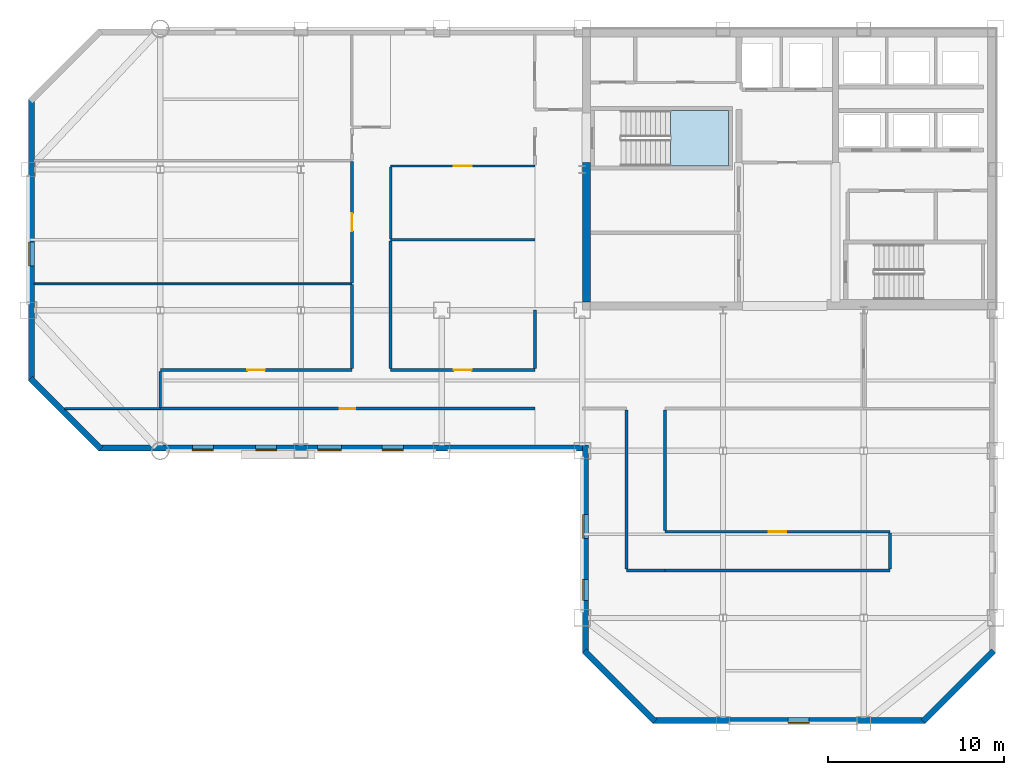
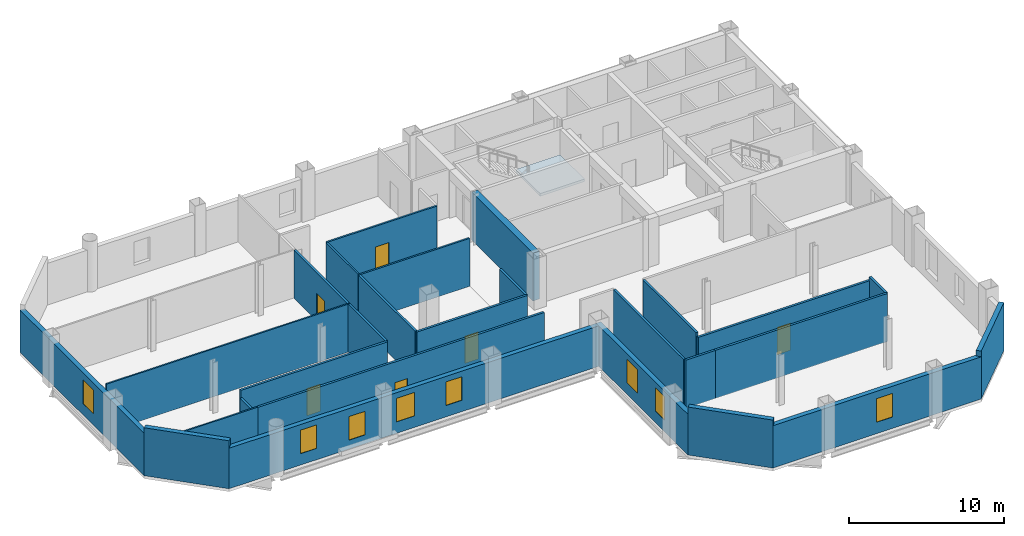
# One storey, part 4 of 10: 27 walls, 8 windows, 6 doors, 1 slab, 14 openings, 1 element without a shape of its own.
"""IFC4 building model written with IfcOpenShell, lengths in metres."""

from ifc_helpers import new_model, si_unit, direction, frame, frame_2d, origin, place, context, subcontext, project, spatial, polyline, rectangle, outline, extrude, material, layer, layer_set, type_object, element, fill, aggregate, save


model = new_model("IFC4")

# Units and contexts
model_context = context("Model", 3, precision=1e-05, world=origin(), true_north=direction((0.0, 1.0)))
body_context = subcontext(model_context, "Body", "Model", "MODEL_VIEW")
ifc_project = project(units=[si_unit("LENGTHUNIT", "METRE"), si_unit("AREAUNIT", "SQUARE_METRE"), si_unit("VOLUMEUNIT", "CUBIC_METRE"), si_unit("PLANEANGLEUNIT", "RADIAN"), si_unit("MASSUNIT", "GRAM", prefix="KILO")], contexts=[model_context])

# Site, building, storey
site_placement = place(None, origin())
site = spatial("IfcSite", under=ifc_project, at=site_placement, CompositionType="ELEMENT")
building_placement = place(site_placement, origin())
building = spatial("IfcBuilding", under=site, at=building_placement, Name="Qianrong Seaharbour Tower", CompositionType="ELEMENT")
storey_placement = place(building_placement, frame((0.0, 0.0, 261.800048828125)))
storey = spatial("IfcBuildingStorey", under=building, at=storey_placement, Name="L63", CompositionType="ELEMENT", Elevation=261.800048828125)

# Stair, slab
ifc_material_1 = material(Name="Concrete C50/60", Category="concrete")
stair_type = type_object("IfcStairType", Name="STAIR-DOGLEG-1500-R22", PredefinedType="HALF_TURN_STAIR", material=ifc_material_1)
stair_placement = place(storey_placement, origin())
stair = element("IfcStair", 1, at=stair_placement, inside=storey, type_object=stair_type, Name="L63 Protected Escape Stair ST-1", PredefinedType="HALF_TURN_STAIR")
ifc_layer_1 = layer(ifc_material_1, 0.199951171875)
ifc_layer_set_1 = layer_set([ifc_layer_1], Name="Concrete C50/60")
slab_type = type_object("IfcSlabType", Name="SLAB-STAIR-LANDING-200", PredefinedType="LANDING", material=ifc_layer_set_1)
slab_placement = place(storey_placement, frame((0.0, 0.0, 1.800048828125)))
slab = element("IfcSlab", 2, at=slab_placement, type_object=slab_type, Name="ST-1 landing 1", PredefinedType="LANDING", context=body_context, shape_type="SweptSolid", body=[
    extrude(outline(polyline([(45.5, 44.199951171875), (48.800048828125, 44.199951171875), (48.800048828125, 47.35009765625), (45.5, 47.35009765625), (45.5, 44.199951171875)])), origin(), (0.0, 0.0, 1.0), 0.199951171875),
])
aggregate(stair, [slab])

# Walls
ifc_material_2 = material(Name="Concrete C60/75", Category="concrete")
ifc_layer_2 = layer(ifc_material_2, 0.4599609375)
ifc_layer_set_2 = layer_set([ifc_layer_2], Name="Concrete C60/75")
wall_type_1 = type_object("IfcWallType", Name="WALL-CORE-460", PredefinedType="SHEAR", material=ifc_layer_set_2)
wall_1_placement = place(storey_placement, frame((40.72998046875, 36.4599609375, 0.0), z_axis=(0.0, 0.0, 1.0), x_axis=(0.0, 1.0, 0.0)))
element("IfcWall", 3, at=wall_1_placement, inside=storey, type_object=wall_type_1, Name="L63 West Core Shear Wall South", PredefinedType="SHEAR", context=body_context, shape_type="SweptSolid", body=[
    extrude(rectangle(XDim=7.93994140625, YDim=0.4599609375, at=frame_2d((3.969970703125, 0.0))), origin(), (0.0, 0.0, 1.0), 3.77490234375),
])
ifc_material_3 = material(Name="Fire-rated acoustic gypsum board partition")
ifc_layer_3 = layer(ifc_material_3, 0.1650390625)
ifc_layer_set_3 = layer_set([ifc_layer_3], Name="Fire-rated acoustic gypsum board partition")
wall_type_2 = type_object("IfcWallType", Name="WALL-CORR-PART-165", PredefinedType="PARTITIONING", material=ifc_layer_set_3)
wall_2_placement = place(storey_placement, frame((16.5, 30.474609375, 0.0), z_axis=(0.0, 0.0, 1.0), x_axis=(0.0, 1.0, 0.0)))
element("IfcWall", 4, at=wall_2_placement, inside=storey, type_object=wall_type_2, Name="L63 Interior Partition Wall 015", PredefinedType="PARTITIONING", context=body_context, shape_type="SweptSolid", body=[
    extrude(rectangle(XDim=2.05078125, YDim=0.1650390625, at=frame_2d((1.025390625, 0.0))), origin(), (0.0, 0.0, 1.0), 3.178955078125),
])

# Wall, opening, door
wall_3_placement = place(storey_placement, frame((16.5, 32.60009765625, 0.0), z_axis=(0.0, 0.0, 1.0), x_axis=(1.0, 0.0, 0.0)))
wall_3 = element("IfcWall", 5, at=wall_3_placement, inside=storey, type_object=wall_type_2, Name="L63 Interior Partition Wall 016", PredefinedType="PARTITIONING", context=body_context, shape_type="SweptSolid", body=[
    extrude(rectangle(XDim=10.89990234375, YDim=0.1650390625, at=frame_2d((5.449951171875, 0.0))), origin(), (0.0, 0.0, 1.0), 3.77490234375),
])
opening_1_placement = place(wall_3_placement, frame((4.949951171875, 0.0, 0.0)))
opening_1 = element("IfcOpeningElement", 6, at=opening_1_placement, cuts=wall_3, Name="Opening DO-01", PredefinedType="OPENING", context=body_context, shape_type="SweptSolid", body=[
    extrude(rectangle(XDim=1.0, YDim=2.14990234375, at=frame_2d((0.5, 1.074951171875))), frame((0.0, 0.092529296875, 0.0), z_axis=(0.0, -1.0, 0.0), x_axis=(1.0, 0.0, 0.0)), (0.0, 0.0, 1.0), 0.18505859375),
])
ifc_material_4 = material(Name="Acoustic timber and galvanized steel fire door assembly", Category="steel")
door_type_1 = type_object("IfcDoorType", Name="DOOR-OFFICE-1000x2150", OperationType="NOTDEFINED", PredefinedType="DOOR", material=ifc_material_4)
door_1_placement = place(opening_1_placement, origin())
door_1 = element("IfcDoor", 7, at=door_1_placement, inside=storey, type_object=door_type_1, Name="L63 Occupational Health Clinic 1 Door", OperationType="SINGLE_SWING_RIGHT", OverallHeight=2.14990234375, OverallWidth=1.0, PredefinedType="DOOR", context=body_context, shape_type="SweptSolid", body=[
    extrude(rectangle(XDim=1.0, YDim=2.14990234375, at=frame_2d((0.5, 1.074951171875))), frame((0.0, 0.02490234375, 0.0), z_axis=(0.0, -1.0, 0.0), x_axis=(1.0, 0.0, 0.0)), (0.0, 0.0, 1.0), 0.050048828125),
])
fill(opening_1, door_1)

wall_4_placement = place(storey_placement, frame((29.60009765625, 32.60009765625, 0.0), z_axis=(0.0, 0.0, 1.0), x_axis=(1.0, 0.0, 0.0)))
wall_4 = element("IfcWall", 8, at=wall_4_placement, inside=storey, type_object=wall_type_2, Name="L63 Interior Partition Wall 017", PredefinedType="PARTITIONING", context=body_context, shape_type="SweptSolid", body=[
    extrude(rectangle(XDim=8.199951171875, YDim=0.1650390625, at=frame_2d((4.10009765625, 0.0))), origin(), (0.0, 0.0, 1.0), 3.77490234375),
])
opening_2_placement = place(wall_4_placement, frame((3.60009765625, 0.0, 0.0)))
opening_2 = element("IfcOpeningElement", 9, at=opening_2_placement, cuts=wall_4, Name="Opening DO-01", PredefinedType="OPENING", context=body_context, shape_type="SweptSolid", body=[
    extrude(rectangle(XDim=1.0, YDim=2.14990234375, at=frame_2d((0.5, 1.074951171875))), frame((0.0, 0.092529296875, 0.0), z_axis=(0.0, -1.0, 0.0), x_axis=(1.0, 0.0, 0.0)), (0.0, 0.0, 1.0), 0.18505859375),
])
door_2_placement = place(opening_2_placement, origin())
door_2 = element("IfcDoor", 10, at=door_2_placement, inside=storey, type_object=door_type_1, Name="L63 Medical Examination Room 1 Door", OperationType="SINGLE_SWING_RIGHT", OverallHeight=2.14990234375, OverallWidth=1.0, PredefinedType="DOOR", context=body_context, shape_type="SweptSolid", body=[
    extrude(rectangle(XDim=1.0, YDim=2.14990234375, at=frame_2d((0.5, 1.074951171875))), frame((0.0, 0.02490234375, 0.0), z_axis=(0.0, -1.0, 0.0), x_axis=(1.0, 0.0, 0.0)), (0.0, 0.0, 1.0), 0.050048828125),
])
fill(opening_2, door_2)

wall_5_placement = place(storey_placement, frame((37.800048828125, 30.39990234375, 0.0), z_axis=(0.0, 0.0, 1.0), x_axis=(-1.0, 0.0, 0.0)))
wall_5 = element("IfcWall", 11, at=wall_5_placement, inside=storey, type_object=wall_type_2, Name="L63 Interior Partition Wall 018", PredefinedType="PARTITIONING", context=body_context, shape_type="SweptSolid", body=[
    extrude(rectangle(XDim=21.300048828125, YDim=0.1650390625, at=frame_2d((10.64990234375, 0.0))), origin(), (0.0, 0.0, 1.0), 3.77490234375),
])
opening_3_placement = place(wall_5_placement, frame((10.199951171875, 0.0, 0.0)))
opening_3 = element("IfcOpeningElement", 12, at=opening_3_placement, cuts=wall_5, Name="Opening DS-01", PredefinedType="OPENING", context=body_context, shape_type="SweptSolid", body=[
    extrude(rectangle(XDim=0.89990234375, YDim=2.14990234375, at=frame_2d((0.449951171875, 1.074951171875))), frame((0.0, 0.092529296875, 0.0), z_axis=(0.0, -1.0, 0.0), x_axis=(1.0, 0.0, 0.0)), (0.0, 0.0, 1.0), 0.18505859375),
])
door_type_2 = type_object("IfcDoorType", Name="DOOR-STORE-900x2150", OperationType="NOTDEFINED", PredefinedType="DOOR", material=ifc_material_4)
door_3_placement = place(opening_3_placement, origin())
door_3 = element("IfcDoor", 13, at=door_3_placement, inside=storey, type_object=door_type_2, Name="L63 Clinical Dispensary Store Door", OperationType="SINGLE_SWING_RIGHT", OverallHeight=2.14990234375, OverallWidth=0.89990234375, PredefinedType="DOOR", context=body_context, shape_type="SweptSolid", body=[
    extrude(rectangle(XDim=0.89990234375, YDim=2.14990234375, at=frame_2d((0.449951171875, 1.074951171875))), frame((0.0, 0.02490234375, 0.0), z_axis=(0.0, -1.0, 0.0), x_axis=(1.0, 0.0, 0.0)), (0.0, 0.0, 1.0), 0.050048828125),
])
fill(opening_3, door_3)

# Wall
wall_6_placement = place(storey_placement, frame((27.39990234375, 32.674560546875, 0.0), z_axis=(0.0, 0.0, 1.0), x_axis=(0.0, 1.0, 0.0)))
element("IfcWall", 14, at=wall_6_placement, inside=storey, type_object=wall_type_2, Name="L63 Interior Partition Wall 019", PredefinedType="PARTITIONING", context=body_context, shape_type="SweptSolid", body=[
    extrude(rectangle(XDim=4.7783203125, YDim=0.1650390625, at=frame_2d((2.38916015625, 0.0))), origin(), (0.0, 0.0, 1.0), 3.77490234375),
])

# Wall, opening, door
wall_7_placement = place(storey_placement, frame((27.39990234375, 37.547119140625, 0.0), z_axis=(0.0, 0.0, 1.0), x_axis=(0.0, 1.0, 0.0)))
wall_7 = element("IfcWall", 15, at=wall_7_placement, inside=storey, type_object=wall_type_2, Name="L63 Interior Partition Wall 020", PredefinedType="PARTITIONING", context=body_context, shape_type="SweptSolid", body=[
    extrude(rectangle(XDim=6.90576171875, YDim=0.1650390625, at=frame_2d((3.452880859375, 0.0))), origin(), (0.0, 0.0, 1.0), 3.77490234375),
])
opening_4_placement = place(wall_7_placement, frame((2.952880859375, 0.0, 0.0)))
opening_4 = element("IfcOpeningElement", 16, at=opening_4_placement, cuts=wall_7, Name="Opening DO-01", PredefinedType="OPENING", context=body_context, shape_type="SweptSolid", body=[
    extrude(rectangle(XDim=1.0, YDim=2.14990234375, at=frame_2d((0.5, 1.074951171875))), frame((0.0, 0.092529296875, 0.0), z_axis=(0.0, -1.0, 0.0), x_axis=(1.0, 0.0, 0.0)), (0.0, 0.0, 1.0), 0.18505859375),
])
door_4_placement = place(opening_4_placement, origin())
door_4 = element("IfcDoor", 17, at=door_4_placement, inside=storey, type_object=door_type_1, Name="L63 Physiotherapy Room 2 Door", OperationType="SINGLE_SWING_LEFT", OverallHeight=2.14990234375, OverallWidth=1.0, PredefinedType="DOOR", context=body_context, shape_type="SweptSolid", body=[
    extrude(rectangle(XDim=1.0, YDim=2.14990234375, at=frame_2d((0.5, 1.074951171875))), frame((0.0, 0.02490234375, 0.0), z_axis=(0.0, -1.0, 0.0), x_axis=(1.0, 0.0, 0.0)), (0.0, 0.0, 1.0), 0.050048828125),
])
fill(opening_4, door_4)

# Walls
wall_8_placement = place(storey_placement, frame((29.60009765625, 39.943115234375, 0.0), z_axis=(0.0, 0.0, 1.0), x_axis=(0.0, -1.0, 0.0)))
element("IfcWall", 18, at=wall_8_placement, inside=storey, type_object=wall_type_2, Name="L63 Interior Partition Wall 023", PredefinedType="PARTITIONING", context=body_context, shape_type="SweptSolid", body=[
    extrude(rectangle(XDim=7.2685546875, YDim=0.1650390625, at=frame_2d((3.63427734375, 0.0))), origin(), (0.0, 0.0, 1.0), 3.77490234375),
])
wall_9_placement = place(storey_placement, frame((37.800048828125, 32.674560546875, 0.0), z_axis=(0.0, 0.0, 1.0), x_axis=(0.0, 1.0, 0.0)))
element("IfcWall", 19, at=wall_9_placement, inside=storey, type_object=wall_type_2, Name="L63 Interior Partition Wall 029", PredefinedType="PARTITIONING", context=body_context, shape_type="SweptSolid", body=[
    extrude(rectangle(XDim=3.325439453125, YDim=0.1650390625, at=frame_2d((1.66259765625, 0.0))), origin(), (0.0, 0.0, 1.0), 3.77490234375),
])
wall_10_placement = place(storey_placement, frame((45.199951171875, 21.199951171875, 0.0), z_axis=(0.0, 0.0, 1.0), x_axis=(-1.0, 0.0, 0.0)))
element("IfcWall", 20, at=wall_10_placement, inside=storey, type_object=wall_type_2, Name="L63 Interior Partition Wall 030", PredefinedType="PARTITIONING", context=body_context, shape_type="SweptSolid", body=[
    extrude(rectangle(XDim=2.199951171875, YDim=0.1650390625, at=frame_2d((1.10009765625, 0.0))), origin(), (0.0, 0.0, 1.0), 3.77490234375),
])
wall_11_placement = place(storey_placement, frame((43.0, 21.2744140625, 0.0), z_axis=(0.0, 0.0, 1.0), x_axis=(0.0, 1.0, 0.0)))
element("IfcWall", 21, at=wall_11_placement, inside=storey, type_object=wall_type_2, Name="L63 Interior Partition Wall 031", PredefinedType="PARTITIONING", context=body_context, shape_type="SweptSolid", body=[
    extrude(rectangle(XDim=9.051025390625, YDim=0.1650390625, at=frame_2d((4.525390625, 0.0))), origin(), (0.0, 0.0, 1.0), 3.77490234375),
])
wall_12_placement = place(storey_placement, frame((45.199951171875, 30.325439453125, 0.0), z_axis=(0.0, 0.0, 1.0), x_axis=(0.0, -1.0, 0.0)))
element("IfcWall", 22, at=wall_12_placement, inside=storey, type_object=wall_type_2, Name="L63 Interior Partition Wall 032", PredefinedType="PARTITIONING", context=body_context, shape_type="SweptSolid", body=[
    extrude(rectangle(XDim=6.850830078125, YDim=0.1650390625, at=frame_2d((3.42529296875, 0.0))), origin(), (0.0, 0.0, 1.0), 3.77490234375),
])

# Wall, opening, door
wall_13_placement = place(storey_placement, frame((45.199951171875, 23.39990234375, 0.0), z_axis=(0.0, 0.0, 1.0), x_axis=(1.0, 0.0, 0.0)))
wall_13 = element("IfcWall", 23, at=wall_13_placement, inside=storey, type_object=wall_type_2, Name="L63 Interior Partition Wall 033", PredefinedType="PARTITIONING", context=body_context, shape_type="SweptSolid", body=[
    extrude(rectangle(XDim=12.800048828125, YDim=0.1650390625, at=frame_2d((6.39990234375, 0.0))), origin(), (0.0, 0.0, 1.0), 3.467041015625),
])
opening_5_placement = place(wall_13_placement, frame((5.89990234375, 0.0, 0.0)))
opening_5 = element("IfcOpeningElement", 24, at=opening_5_placement, cuts=wall_13, Name="Opening DO-01", PredefinedType="OPENING", context=body_context, shape_type="SweptSolid", body=[
    extrude(rectangle(XDim=1.0, YDim=2.14990234375, at=frame_2d((0.5, 1.074951171875))), frame((0.0, 0.092529296875, 0.0), z_axis=(0.0, -1.0, 0.0), x_axis=(1.0, 0.0, 0.0)), (0.0, 0.0, 1.0), 0.18505859375),
])
door_5_placement = place(opening_5_placement, origin())
door_5 = element("IfcDoor", 25, at=door_5_placement, inside=storey, type_object=door_type_1, Name="L63 South Tip Open-Plan Office Door", OperationType="SINGLE_SWING_RIGHT", OverallHeight=2.14990234375, OverallWidth=1.0, PredefinedType="DOOR", context=body_context, shape_type="SweptSolid", body=[
    extrude(rectangle(XDim=1.0, YDim=2.14990234375, at=frame_2d((0.5, 1.074951171875))), frame((0.0, 0.02490234375, 0.0), z_axis=(0.0, -1.0, 0.0), x_axis=(1.0, 0.0, 0.0)), (0.0, 0.0, 1.0), 0.050048828125),
])
fill(opening_5, door_5)

# Walls
wall_14_placement = place(storey_placement, frame((58.0, 23.325439453125, 0.0), z_axis=(0.0, 0.0, 1.0), x_axis=(0.0, -1.0, 0.0)))
element("IfcWall", 26, at=wall_14_placement, inside=storey, type_object=wall_type_2, Name="L63 Interior Partition Wall 034", PredefinedType="PARTITIONING", context=body_context, shape_type="SweptSolid", body=[
    extrude(rectangle(XDim=2.051025390625, YDim=0.1650390625, at=frame_2d((1.025390625, 0.0))), origin(), (0.0, 0.0, 1.0), 3.77490234375),
])
wall_15_placement = place(storey_placement, frame((58.0, 21.199951171875, 0.0), z_axis=(0.0, 0.0, 1.0), x_axis=(-1.0, 0.0, 0.0)))
element("IfcWall", 27, at=wall_15_placement, inside=storey, type_object=wall_type_2, Name="L63 Interior Partition Wall 035", PredefinedType="PARTITIONING", context=body_context, shape_type="SweptSolid", body=[
    extrude(rectangle(XDim=12.800048828125, YDim=0.1650390625, at=frame_2d((6.39990234375, 0.0))), origin(), (0.0, 0.0, 1.0), 3.77490234375),
])
ifc_material_5 = material(Name="Demountable aluminium-framed acoustic office partition", Category="aluminium")
ifc_layer_4 = layer(ifc_material_5, 0.110107421875)
ifc_layer_set_4 = layer_set([ifc_layer_4], Name="Demountable aluminium-framed acoustic office partition")
wall_type_3 = type_object("IfcWallType", Name="WALL-DEMOUNT-110", PredefinedType="MOVABLE", material=ifc_layer_set_4)
wall_16_placement = place(storey_placement, frame((9.33203125, 37.5, 0.0), z_axis=(0.0, 0.0, 1.0), x_axis=(1.0, 0.0, 0.0)))
element("IfcWall", 28, at=wall_16_placement, inside=storey, type_object=wall_type_3, Name="L63 Interior Partition Wall 037", PredefinedType="MOVABLE", context=body_context, shape_type="SweptSolid", body=[
    extrude(rectangle(XDim=18.06787109375, YDim=0.110107421875, at=frame_2d((9.033935546875, 0.0))), origin(), (0.0, 0.0, 1.0), 3.77490234375),
])
wall_17_placement = place(storey_placement, frame((16.5, 30.39990234375, 0.0), z_axis=(0.0, 0.0, 1.0), x_axis=(-1.0, 0.0, 0.0)))
element("IfcWall", 29, at=wall_17_placement, inside=storey, type_object=wall_type_3, Name="L63 Interior Partition Wall 038", PredefinedType="MOVABLE", context=body_context, shape_type="SweptSolid", body=[
    extrude(rectangle(XDim=5.430419921875, YDim=0.110107421875, at=frame_2d((2.71533203125, 0.0))), origin(), (0.0, 0.0, 1.0), 3.77490234375),
])

# Wall, openings, windows
ifc_material_6 = material(Name="Unitised buff brick on Precast concrete C45/55", Category="masonry")
ifc_layer_5 = layer(ifc_material_6, 0.340087890625)
ifc_layer_set_5 = layer_set([ifc_layer_5], Name="Unitised buff brick on Precast concrete C45/55")
wall_type_4 = type_object("IfcWallType", Name="WALL-EXT-BRICK-BUFF-340", PredefinedType="SOLIDWALL", material=ifc_layer_set_5)
wall_18_placement = place(storey_placement, frame((40.669921875, 16.5, 0.0), z_axis=(0.0, 0.0, 1.0), x_axis=(0.0, 1.0, 0.0)))
wall_18 = element("IfcWall", 30, at=wall_18_placement, inside=storey, type_object=wall_type_4, Name="L63 Exterior Masonry Facade Wall REENTRANT_WEST", PredefinedType="SOLIDWALL", context=body_context, shape_type="SweptSolid", body=[
    extrude(rectangle(XDim=11.840087890625, YDim=0.340087890625, at=frame_2d((5.919921875, 0.0))), origin(), (0.0, 0.0, 1.0), 3.18701171875),
])
opening_6_placement = place(wall_18_placement, frame((3.0, 0.0, 0.89990234375)))
opening_6 = element("IfcOpeningElement", 31, at=opening_6_placement, cuts=wall_18, Name="Opening WN-01", PredefinedType="OPENING", context=body_context, shape_type="SweptSolid", body=[
    extrude(rectangle(XDim=1.199951171875, YDim=1.85009765625, at=frame_2d((0.60009765625, 0.925048828125))), frame((0.0, 0.18017578125, 0.0), z_axis=(0.0, -1.0, 0.0), x_axis=(1.0, 0.0, 0.0)), (0.0, 0.0, 1.0), 0.360107421875),
])
opening_7_placement = place(wall_18_placement, frame((6.52490234375, 0.0, 0.89990234375)))
opening_7 = element("IfcOpeningElement", 32, at=opening_7_placement, cuts=wall_18, Name="Opening WN-02", PredefinedType="OPENING", context=body_context, shape_type="SweptSolid", body=[
    extrude(rectangle(XDim=1.35009765625, YDim=1.85009765625, at=frame_2d((0.675048828125, 0.925048828125))), frame((0.0, 0.18017578125, 0.0), z_axis=(0.0, -1.0, 0.0), x_axis=(1.0, 0.0, 0.0)), (0.0, 0.0, 1.0), 0.360107421875),
])
ifc_material_7 = material(Name="Insulated low-e double glazing in thermally broken aluminium 6063-T6 frame", Category="aluminium")
window_type_1 = type_object("IfcWindowType", Name="WIN-PUNCH-1200x1850", PartitioningType="DOUBLE_PANEL_VERTICAL", PredefinedType="WINDOW", material=ifc_material_7)
window_1_placement = place(opening_6_placement, origin())
window_1 = element("IfcWindow", 33, at=window_1_placement, inside=storey, type_object=window_type_1, Name="L63 Deep-Set Punched Window 00.01", OverallHeight=1.85009765625, OverallWidth=1.199951171875, PartitioningType="DOUBLE_PANEL_VERTICAL", PredefinedType="WINDOW", context=body_context, shape_type="SweptSolid", body=[
    extrude(rectangle(XDim=1.199951171875, YDim=1.85009765625, at=frame_2d((0.60009765625, 0.925048828125))), frame((0.0, 0.150146484375, 0.0), z_axis=(0.0, -1.0, 0.0), x_axis=(1.0, 0.0, 0.0)), (0.0, 0.0, 1.0), 0.06005859375),
])
fill(opening_6, window_1)
window_type_2 = type_object("IfcWindowType", Name="WIN-PUNCH-1350x1850", PartitioningType="DOUBLE_PANEL_VERTICAL", PredefinedType="WINDOW", material=ifc_material_7)
window_2_placement = place(opening_7_placement, origin())
window_2 = element("IfcWindow", 34, at=window_2_placement, inside=storey, type_object=window_type_2, Name="L63 Deep-Set Punched Window 00.02", OverallHeight=1.85009765625, OverallWidth=1.35009765625, PartitioningType="DOUBLE_PANEL_VERTICAL", PredefinedType="WINDOW", context=body_context, shape_type="SweptSolid", body=[
    extrude(rectangle(XDim=1.35009765625, YDim=1.85009765625, at=frame_2d((0.675048828125, 0.925048828125))), frame((0.0, 0.150146484375, 0.0), z_axis=(0.0, -1.0, 0.0), x_axis=(1.0, 0.0, 0.0)), (0.0, 0.0, 1.0), 0.06005859375),
])
fill(opening_7, window_2)

wall_19_placement = place(storey_placement, frame((40.52001953125, 28.169921875, 0.0), z_axis=(0.0, 0.0, 1.0), x_axis=(-1.0, 0.0, 0.0)))
wall_19 = element("IfcWall", 35, at=wall_19_placement, inside=storey, type_object=wall_type_4, Name="L63 Exterior Masonry Facade Wall HARBOUR_RIBBON", PredefinedType="SOLIDWALL", context=body_context, shape_type="SweptSolid", body=[
    extrude(rectangle(XDim=27.52001953125, YDim=0.340087890625, at=frame_2d((13.760009765625, 0.0))), origin(), (0.0, 0.0, 1.0), 3.18701171875),
])
opening_8_placement = place(wall_19_placement, frame((10.199951171875, 0.0, 0.89990234375)))
opening_8 = element("IfcOpeningElement", 36, at=opening_8_placement, cuts=wall_19, Name="Opening WN-01", PredefinedType="OPENING", context=body_context, shape_type="SweptSolid", body=[
    extrude(rectangle(XDim=1.199951171875, YDim=1.85009765625, at=frame_2d((0.60009765625, 0.925048828125))), frame((0.0, 0.18017578125, 0.0), z_axis=(0.0, -1.0, 0.0), x_axis=(1.0, 0.0, 0.0)), (0.0, 0.0, 1.0), 0.360107421875),
])
opening_9_placement = place(wall_19_placement, frame((13.72509765625, 0.0, 0.89990234375)))
opening_9 = element("IfcOpeningElement", 37, at=opening_9_placement, cuts=wall_19, Name="Opening WN-02", PredefinedType="OPENING", context=body_context, shape_type="SweptSolid", body=[
    extrude(rectangle(XDim=1.35009765625, YDim=1.85009765625, at=frame_2d((0.675048828125, 0.925048828125))), frame((0.0, 0.18017578125, 0.0), z_axis=(0.0, -1.0, 0.0), x_axis=(1.0, 0.0, 0.0)), (0.0, 0.0, 1.0), 0.360107421875),
])
opening_10_placement = place(wall_19_placement, frame((17.39990234375, 0.0, 0.699951171875)))
opening_10 = element("IfcOpeningElement", 38, at=opening_10_placement, cuts=wall_19, Name="Opening WN-01", PredefinedType="OPENING", context=body_context, shape_type="SweptSolid", body=[
    extrude(rectangle(XDim=1.199951171875, YDim=1.85009765625, at=frame_2d((0.60009765625, 0.925048828125))), frame((0.0, 0.18017578125, 0.0), z_axis=(0.0, -1.0, 0.0), x_axis=(1.0, 0.0, 0.0)), (0.0, 0.0, 1.0), 0.360107421875),
])
opening_11_placement = place(wall_19_placement, frame((21.0, 0.0, 0.89990234375)))
opening_11 = element("IfcOpeningElement", 39, at=opening_11_placement, cuts=wall_19, Name="Opening WN-01", PredefinedType="OPENING", context=body_context, shape_type="SweptSolid", body=[
    extrude(rectangle(XDim=1.199951171875, YDim=1.85009765625, at=frame_2d((0.60009765625, 0.925048828125))), frame((0.0, 0.18017578125, 0.0), z_axis=(0.0, -1.0, 0.0), x_axis=(1.0, 0.0, 0.0)), (0.0, 0.0, 1.0), 0.360107421875),
])
window_3_placement = place(opening_8_placement, origin())
window_3 = element("IfcWindow", 40, at=window_3_placement, inside=storey, type_object=window_type_1, Name="L63 Deep-Set Punched Window 01.03", OverallHeight=1.85009765625, OverallWidth=1.199951171875, PartitioningType="DOUBLE_PANEL_VERTICAL", PredefinedType="WINDOW", context=body_context, shape_type="SweptSolid", body=[
    extrude(rectangle(XDim=1.199951171875, YDim=1.85009765625, at=frame_2d((0.60009765625, 0.925048828125))), frame((0.0, 0.150146484375, 0.0), z_axis=(0.0, -1.0, 0.0), x_axis=(1.0, 0.0, 0.0)), (0.0, 0.0, 1.0), 0.06005859375),
])
fill(opening_8, window_3)
window_4_placement = place(opening_10_placement, origin())
window_4 = element("IfcWindow", 41, at=window_4_placement, inside=storey, type_object=window_type_1, Name="L63 Deep-Set Punched Window 01.05", OverallHeight=1.85009765625, OverallWidth=1.199951171875, PartitioningType="DOUBLE_PANEL_VERTICAL", PredefinedType="WINDOW", context=body_context, shape_type="SweptSolid", body=[
    extrude(rectangle(XDim=1.199951171875, YDim=1.85009765625, at=frame_2d((0.60009765625, 0.925048828125))), frame((0.0, 0.150146484375, 0.0), z_axis=(0.0, -1.0, 0.0), x_axis=(1.0, 0.0, 0.0)), (0.0, 0.0, 1.0), 0.06005859375),
])
fill(opening_10, window_4)
window_5_placement = place(opening_11_placement, origin())
window_5 = element("IfcWindow", 42, at=window_5_placement, inside=storey, type_object=window_type_1, Name="L63 Deep-Set Punched Window 01.06", OverallHeight=1.85009765625, OverallWidth=1.199951171875, PartitioningType="DOUBLE_PANEL_VERTICAL", PredefinedType="WINDOW", context=body_context, shape_type="SweptSolid", body=[
    extrude(rectangle(XDim=1.199951171875, YDim=1.85009765625, at=frame_2d((0.60009765625, 0.925048828125))), frame((0.0, 0.150146484375, 0.0), z_axis=(0.0, -1.0, 0.0), x_axis=(1.0, 0.0, 0.0)), (0.0, 0.0, 1.0), 0.06005859375),
])
fill(opening_11, window_5)
window_6_placement = place(opening_9_placement, origin())
window_6 = element("IfcWindow", 43, at=window_6_placement, inside=storey, type_object=window_type_2, Name="L63 Deep-Set Punched Window 01.04", OverallHeight=1.85009765625, OverallWidth=1.35009765625, PartitioningType="DOUBLE_PANEL_VERTICAL", PredefinedType="WINDOW", context=body_context, shape_type="SweptSolid", body=[
    extrude(rectangle(XDim=1.35009765625, YDim=1.85009765625, at=frame_2d((0.675048828125, 0.925048828125))), frame((0.0, 0.150146484375, 0.0), z_axis=(0.0, -1.0, 0.0), x_axis=(1.0, 0.0, 0.0)), (0.0, 0.0, 1.0), 0.06005859375),
])
fill(opening_9, window_6)

# Wall
wall_20_placement = place(storey_placement, frame((13.1201171875, 28.1201171875, 0.0), z_axis=(0.0, 0.0, 1.0), x_axis=(-0.707106781187, 0.707106781187, 0.0)))
element("IfcWall", 44, at=wall_20_placement, inside=storey, type_object=wall_type_4, Name="L63 Exterior Masonry Facade Wall E02", PredefinedType="SOLIDWALL", context=body_context, shape_type="SweptSolid", body=[
    extrude(rectangle(XDim=5.65673828125, YDim=0.340087890625, at=frame_2d((2.828369140625, 0.0))), origin(), (0.0, 0.0, 1.0), 3.77490234375),
])

# Wall, opening, window
wall_21_placement = place(storey_placement, frame((9.169921875, 32.0, 0.0), z_axis=(0.0, 0.0, 1.0), x_axis=(0.0, 1.0, 0.0)))
wall_21 = element("IfcWall", 45, at=wall_21_placement, inside=storey, type_object=wall_type_4, Name="L63 Exterior Masonry Facade Wall WEST_TIP", PredefinedType="SOLIDWALL", context=body_context, shape_type="SweptSolid", body=[
    extrude(rectangle(XDim=16.0, YDim=0.340087890625, at=frame_2d((8.0, 0.0))), origin(), (0.0, 0.0, 1.0), 3.324951171875),
])
opening_12_placement = place(wall_21_placement, frame((6.52490234375, 0.0, 0.89990234375)))
opening_12 = element("IfcOpeningElement", 46, at=opening_12_placement, cuts=wall_21, Name="Opening WN-02", PredefinedType="OPENING", context=body_context, shape_type="SweptSolid", body=[
    extrude(rectangle(XDim=1.35009765625, YDim=1.85009765625, at=frame_2d((0.675048828125, 0.925048828125))), frame((0.0, 0.18017578125, 0.0), z_axis=(0.0, -1.0, 0.0), x_axis=(1.0, 0.0, 0.0)), (0.0, 0.0, 1.0), 0.360107421875),
])
window_7_placement = place(opening_12_placement, origin())
window_7 = element("IfcWindow", 47, at=window_7_placement, inside=storey, type_object=window_type_2, Name="L63 Deep-Set Punched Window 03.02", OverallHeight=1.85009765625, OverallWidth=1.35009765625, PartitioningType="DOUBLE_PANEL_VERTICAL", PredefinedType="WINDOW", context=body_context, shape_type="SweptSolid", body=[
    extrude(rectangle(XDim=1.35009765625, YDim=1.85009765625, at=frame_2d((0.675048828125, 0.925048828125))), frame((0.0, 0.150146484375, 0.0), z_axis=(0.0, -1.0, 0.0), x_axis=(1.0, 0.0, 0.0)), (0.0, 0.0, 1.0), 0.06005859375),
])
fill(opening_12, window_7)

# Wall
wall_22_placement = place(storey_placement, frame((63.8798828125, 16.6201171875, 0.0), z_axis=(0.0, 0.0, 1.0), x_axis=(-0.707106781187, -0.707106781187, 0.0)))
element("IfcWall", 48, at=wall_22_placement, inside=storey, type_object=wall_type_4, Name="L63 Exterior Masonry Facade Wall E07", PredefinedType="SOLIDWALL", context=body_context, shape_type="SweptSolid", body=[
    extrude(rectangle(XDim=5.65673828125, YDim=0.340087890625, at=frame_2d((2.828369140625, 0.0))), origin(), (0.0, 0.0, 1.0), 3.77490234375),
])

# Wall, opening, window
wall_23_placement = place(storey_placement, frame((60.0, 12.669921875, 0.0), z_axis=(0.0, 0.0, 1.0), x_axis=(-1.0, 0.0, 0.0)))
wall_23 = element("IfcWall", 49, at=wall_23_placement, inside=storey, type_object=wall_type_4, Name="L63 Exterior Masonry Facade Wall SOUTH_TIP", PredefinedType="SOLIDWALL", context=body_context, shape_type="SweptSolid", body=[
    extrude(rectangle(XDim=15.5, YDim=0.340087890625, at=frame_2d((7.75, 0.0))), origin(), (0.0, 0.0, 1.0), 3.324951171875),
])
opening_13_placement = place(wall_23_placement, frame((6.60009765625, 0.0, 0.89990234375)))
opening_13 = element("IfcOpeningElement", 50, at=opening_13_placement, cuts=wall_23, Name="Opening WN-01", PredefinedType="OPENING", context=body_context, shape_type="SweptSolid", body=[
    extrude(rectangle(XDim=1.199951171875, YDim=1.85009765625, at=frame_2d((0.60009765625, 0.925048828125))), frame((0.0, 0.18017578125, 0.0), z_axis=(0.0, -1.0, 0.0), x_axis=(1.0, 0.0, 0.0)), (0.0, 0.0, 1.0), 0.360107421875),
])
window_8_placement = place(opening_13_placement, origin())
window_8 = element("IfcWindow", 51, at=window_8_placement, inside=storey, type_object=window_type_1, Name="L63 Deep-Set Punched Window 08.02", OverallHeight=1.85009765625, OverallWidth=1.199951171875, PartitioningType="DOUBLE_PANEL_VERTICAL", PredefinedType="WINDOW", context=body_context, shape_type="SweptSolid", body=[
    extrude(rectangle(XDim=1.199951171875, YDim=1.85009765625, at=frame_2d((0.60009765625, 0.925048828125))), frame((0.0, 0.150146484375, 0.0), z_axis=(0.0, -1.0, 0.0), x_axis=(1.0, 0.0, 0.0)), (0.0, 0.0, 1.0), 0.06005859375),
])
fill(opening_13, window_8)

# Walls
wall_24_placement = place(storey_placement, frame((44.6201171875, 12.6201171875, 0.0), z_axis=(0.0, 0.0, 1.0), x_axis=(-0.707106781187, 0.707106781187, 0.0)))
element("IfcWall", 52, at=wall_24_placement, inside=storey, type_object=wall_type_4, Name="L63 Exterior Masonry Facade Wall E09", PredefinedType="SOLIDWALL", context=body_context, shape_type="SweptSolid", body=[
    extrude(rectangle(XDim=5.65673828125, YDim=0.340087890625, at=frame_2d((2.828369140625, 0.0))), origin(), (0.0, 0.0, 1.0), 3.77490234375),
])
ifc_material_8 = material(Name="Water-resistant cement board sanitary partition")
ifc_layer_6 = layer(ifc_material_8, 0.1298828125)
ifc_layer_set_6 = layer_set([ifc_layer_6], Name="Water-resistant cement board sanitary partition")
wall_type_5 = type_object("IfcWallType", Name="WALL-WET-PART-130", PredefinedType="PARTITIONING", material=ifc_layer_set_6)
wall_25_placement = place(storey_placement, frame((29.60009765625, 44.14306640625, 0.0), z_axis=(0.0, 0.0, 1.0), x_axis=(0.0, -1.0, 0.0)))
element("IfcWall", 53, at=wall_25_placement, inside=storey, type_object=wall_type_5, Name="L63 Interior Partition Wall 024", PredefinedType="PARTITIONING", context=body_context, shape_type="SweptSolid", body=[
    extrude(rectangle(XDim=4.086181640625, YDim=0.1298828125, at=frame_2d((2.04296875, 0.0))), origin(), (0.0, 0.0, 1.0), 3.77490234375),
])

# Wall, opening, door
wall_26_placement = place(storey_placement, frame((37.800048828125, 44.199951171875, 0.0), z_axis=(0.0, 0.0, 1.0), x_axis=(-1.0, 0.0, 0.0)))
wall_26 = element("IfcWall", 54, at=wall_26_placement, inside=storey, type_object=wall_type_5, Name="L63 Interior Partition Wall 025", PredefinedType="PARTITIONING", context=body_context, shape_type="SweptSolid", body=[
    extrude(rectangle(XDim=8.199951171875, YDim=0.1298828125, at=frame_2d((4.10009765625, 0.0))), origin(), (0.0, 0.0, 1.0), 3.77490234375),
])
opening_14_placement = place(wall_26_placement, frame((3.60009765625, 0.0, 0.0)))
opening_14 = element("IfcOpeningElement", 55, at=opening_14_placement, cuts=wall_26, Name="Opening DO-01", PredefinedType="OPENING", context=body_context, shape_type="SweptSolid", body=[
    extrude(rectangle(XDim=1.0, YDim=2.14990234375, at=frame_2d((0.5, 1.074951171875))), frame((0.0, 0.074951171875, 0.0), z_axis=(0.0, -1.0, 0.0), x_axis=(1.0, 0.0, 0.0)), (0.0, 0.0, 1.0), 0.14990234375),
])
door_6_placement = place(opening_14_placement, origin())
door_6 = element("IfcDoor", 56, at=door_6_placement, inside=storey, type_object=door_type_1, Name="L63 Wet Pantry 2 Door", OperationType="SINGLE_SWING_LEFT", OverallHeight=2.14990234375, OverallWidth=1.0, PredefinedType="DOOR", context=body_context, shape_type="SweptSolid", body=[
    extrude(rectangle(XDim=1.0, YDim=2.14990234375, at=frame_2d((0.5, 1.074951171875))), frame((0.0, 0.02490234375, 0.0), z_axis=(0.0, -1.0, 0.0), x_axis=(1.0, 0.0, 0.0)), (0.0, 0.0, 1.0), 0.050048828125),
])
fill(opening_14, door_6)

# Wall
wall_27_placement = place(storey_placement, frame((29.60009765625, 40.0, 0.0), z_axis=(0.0, 0.0, 1.0), x_axis=(1.0, 0.0, 0.0)))
element("IfcWall", 57, at=wall_27_placement, inside=storey, type_object=wall_type_5, Name="L63 Interior Partition Wall 041", PredefinedType="PARTITIONING", context=body_context, shape_type="SweptSolid", body=[
    extrude(rectangle(XDim=8.199951171875, YDim=0.1298828125, at=frame_2d((4.10009765625, 0.0))), origin(), (0.0, 0.0, 1.0), 3.77490234375),
])

save(model, "model.ifc")
